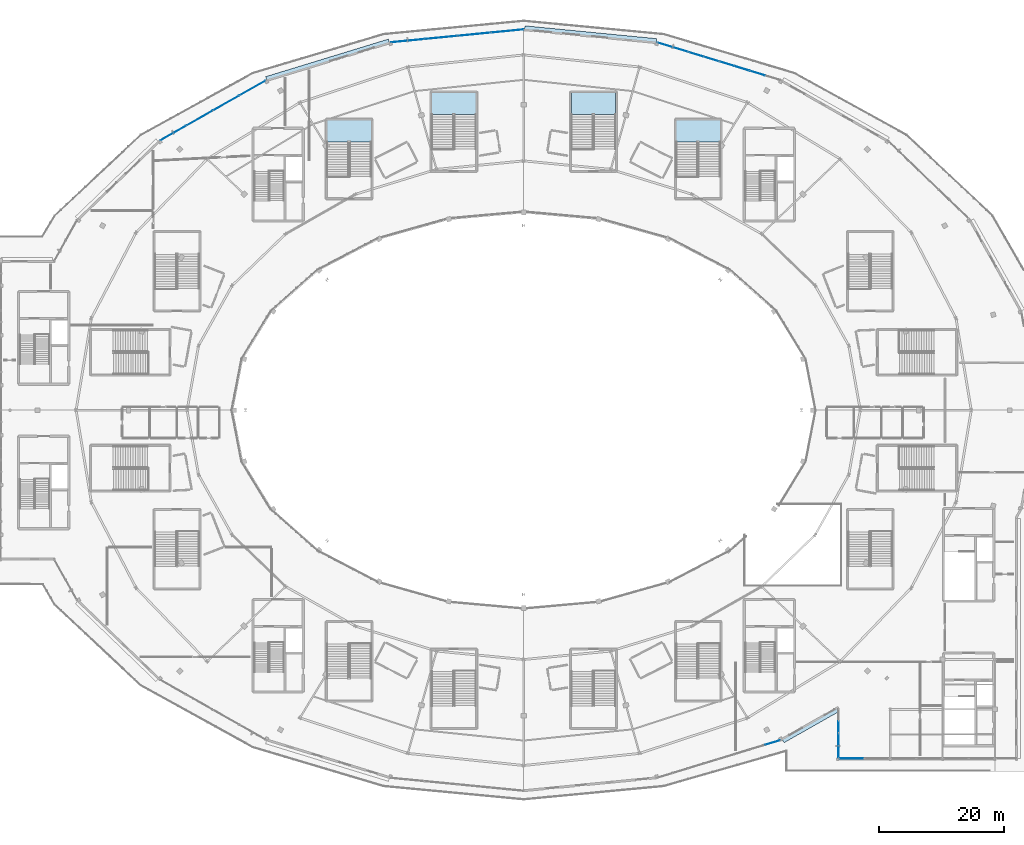
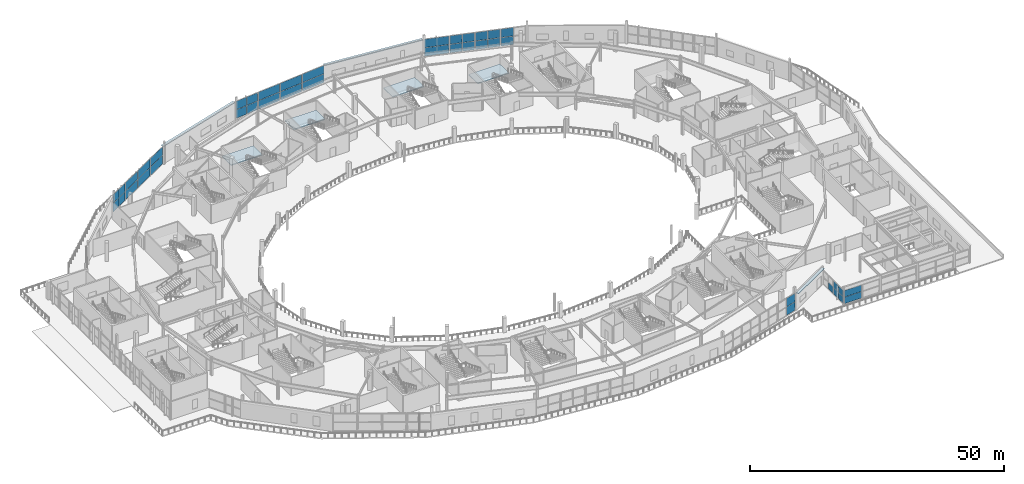
# One storey, part 76 of 123: 44 plates, 4 slabs, 20 elements without a shape of their own.
"""IFC4 building model written with IfcOpenShell, lengths in metres."""

from ifc_helpers import new_model, si_unit, direction, frame, origin, origin_2d, place, context, subcontext, project, spatial, polyline, rectangle, outline, extrude, material, layer, layer_set, type_object, element, aggregate, save


model = new_model("IFC4")

# Units and contexts
model_context = context("Model", 3, precision=1e-05, world=origin(), true_north=direction((0.0, 1.0)))
body_context = subcontext(model_context, "Body", "Model", "MODEL_VIEW")
ifc_project = project(units=[si_unit("LENGTHUNIT", "METRE"), si_unit("AREAUNIT", "SQUARE_METRE"), si_unit("VOLUMEUNIT", "CUBIC_METRE"), si_unit("PLANEANGLEUNIT", "RADIAN"), si_unit("MASSUNIT", "GRAM", prefix="KILO")], contexts=[model_context])

# Site, building, storey
site_placement = place(None, origin())
site = spatial("IfcSite", under=ifc_project, at=site_placement, CompositionType="ELEMENT")
building_placement = place(site_placement, origin())
building = spatial("IfcBuilding", under=site, at=building_placement, Name="Kalgoora Escarpment Arena", CompositionType="ELEMENT")
storey_placement = place(building_placement, frame((0.0, 0.0, 9.89990234375)))
storey = spatial("IfcBuildingStorey", under=building, at=storey_placement, Name="L02", CompositionType="ELEMENT", Elevation=9.89990234375)

# Curtain wall, plate
ifc_material_1 = material(Name=" Champagne anodised aluminium & double-glazed low-E", Category="aluminium")
ifc_layer_1 = layer(ifc_material_1, 0.162109375)
ifc_layer_set_1 = layer_set([ifc_layer_1], Name="CW-UNIT-03")
curtain_wall_type_1 = type_object("IfcCurtainWallType", Name="CW-UNIT-03", PredefinedType="NOTDEFINED", material=ifc_layer_set_1)
curtain_wall_1_placement = place(storey_placement, origin())
curtain_wall_1 = element("IfcCurtainWall", 1, at=curtain_wall_1_placement, inside=storey, type_object=curtain_wall_type_1, Name="L02 unitised facade curtain wall 042", PredefinedType="NOTDEFINED")
ifc_material_2 = material(Name="Low-E double-glazed insulated glass", Category="glass")
ifc_layer_2 = layer(ifc_material_2, 0.028076171875)
ifc_layer_set_2 = layer_set([ifc_layer_2], Name="PLT-CW-GLAZ-28")
plate_type_1 = type_object("IfcPlateType", Name="PLT-CW-GLAZ-28", PredefinedType="CURTAIN_PANEL", material=ifc_layer_set_2)
plate_1_placement = place(storey_placement, frame((142.919921875, 13.197509765625, 0.080078125), z_axis=(0.0, 0.0, 1.0), x_axis=(0.0, 1.0, 0.0)))
plate_1 = element("IfcPlate", 2, at=plate_1_placement, type_object=plate_type_1, Name="CW-03 panel 1.1", PredefinedType="CURTAIN_PANEL", context=body_context, shape_type="SweptSolid", body=[
    extrude(rectangle(XDim=1.8505859375, YDim=0.028076171875, at=origin_2d()), origin(), (0.0, 0.0, 1.0), 1.552490234375),
])
aggregate(curtain_wall_1, [plate_1])

# Curtain wall, plates
ifc_material_3 = material(Name=" Champagne anodised aluminium & double-glazed low-E", Category="aluminium")
ifc_layer_3 = layer(ifc_material_3, 0.162109375)
ifc_layer_set_3 = layer_set([ifc_layer_3], Name="CW-UNIT-13")
curtain_wall_type_2 = type_object("IfcCurtainWallType", Name="CW-UNIT-13", PredefinedType="NOTDEFINED", material=ifc_layer_set_3)
curtain_wall_2_placement = place(storey_placement, origin())
curtain_wall_2 = element("IfcCurtainWall", 3, at=curtain_wall_2_placement, inside=storey, type_object=curtain_wall_type_2, Name="L02 unitised facade curtain wall 072", PredefinedType="NOTDEFINED")
plate_2_placement = place(storey_placement, frame((40.439453125, 110.873291015625, 0.0751953125), z_axis=(0.0, 0.0, 1.0), x_axis=(0.869842024256, 0.493330368859, 0.0)))
plate_2 = element("IfcPlate", 4, at=plate_2_placement, type_object=plate_type_1, Name="CW-13 panel 1.1", PredefinedType="CURTAIN_PANEL", context=body_context, shape_type="SweptSolid", body=[
    extrude(rectangle(XDim=4.63525390625, YDim=0.028076171875, at=origin_2d()), origin(), (0.0, 0.0, 1.0), 2.030029296875),
])
plate_3_placement = place(storey_placement, frame((40.439453125, 110.873291015625, 2.16015625), z_axis=(0.0, 0.0, 1.0), x_axis=(0.869842024256, 0.493330368859, 0.0)))
plate_3 = element("IfcPlate", 5, at=plate_3_placement, type_object=plate_type_1, Name="CW-13 panel 1.2", PredefinedType="CURTAIN_PANEL", context=body_context, shape_type="SweptSolid", body=[
    extrude(rectangle(XDim=4.63525390625, YDim=0.028076171875, at=origin_2d()), origin(), (0.0, 0.0, 1.0), 2.010009765625),
])
aggregate(curtain_wall_2, [plate_2, plate_3])

ifc_material_4 = material(Name=" Champagne anodised aluminium & double-glazed low-E", Category="aluminium")
ifc_layer_4 = layer(ifc_material_4, 0.14990234375)
ifc_layer_set_4 = layer_set([ifc_layer_4], Name="CW-UNIT-15")
curtain_wall_type_3 = type_object("IfcCurtainWallType", Name="CW-UNIT-15", PredefinedType="NOTDEFINED", material=ifc_layer_set_4)
curtain_wall_3_placement = place(storey_placement, origin())
curtain_wall_3 = element("IfcCurtainWall", 6, at=curtain_wall_3_placement, inside=storey, type_object=curtain_wall_type_3, Name="L02 unitised facade curtain wall 074", PredefinedType="NOTDEFINED")
plate_4_placement = place(storey_placement, frame((48.90771484375, 115.67626953125, 0.0751953125), z_axis=(0.0, 0.0, 1.0), x_axis=(0.86983436933, 0.49334386581, 0.0)))
plate_4 = element("IfcPlate", 7, at=plate_4_placement, type_object=plate_type_1, Name="CW-15 panel 1.1", PredefinedType="CURTAIN_PANEL", context=body_context, shape_type="SweptSolid", body=[
    extrude(rectangle(XDim=4.68505859375, YDim=0.028076171875, at=origin_2d()), origin(), (0.0, 0.0, 1.0), 2.030029296875),
])
plate_5_placement = place(storey_placement, frame((48.90771484375, 115.67626953125, 2.16015625), z_axis=(0.0, 0.0, 1.0), x_axis=(0.86983436933, 0.49334386581, 0.0)))
plate_5 = element("IfcPlate", 8, at=plate_5_placement, type_object=plate_type_1, Name="CW-15 panel 1.2", PredefinedType="CURTAIN_PANEL", context=body_context, shape_type="SweptSolid", body=[
    extrude(rectangle(XDim=4.68505859375, YDim=0.028076171875, at=origin_2d()), origin(), (0.0, 0.0, 1.0), 2.010009765625),
])
aggregate(curtain_wall_3, [plate_4, plate_5])

ifc_material_5 = material(Name=" Champagne anodised aluminium & double-glazed low-E", Category="aluminium")
ifc_layer_5 = layer(ifc_material_5, 0.157958984375)
ifc_layer_set_5 = layer_set([ifc_layer_5], Name="CW-UNIT-17")
curtain_wall_type_4 = type_object("IfcCurtainWallType", Name="CW-UNIT-17", PredefinedType="NOTDEFINED", material=ifc_layer_set_5)
curtain_wall_4_placement = place(storey_placement, origin())
curtain_wall_4 = element("IfcCurtainWall", 9, at=curtain_wall_4_placement, inside=storey, type_object=curtain_wall_type_4, Name="L02 unitised facade curtain wall 076", PredefinedType="NOTDEFINED")
plate_6_placement = place(storey_placement, frame((79.115234375, 123.786865234375, 0.0751953125), z_axis=(0.0, 0.0, 1.0), x_axis=(0.995298024698, 0.096859909317, 0.0)))
plate_6 = element("IfcPlate", 10, at=plate_6_placement, type_object=plate_type_1, Name="CW-17 panel 1.1", PredefinedType="CURTAIN_PANEL", context=body_context, shape_type="SweptSolid", body=[
    extrude(rectangle(XDim=5.12353515625, YDim=0.028076171875, at=origin_2d()), origin(), (0.0, 0.0, 1.0), 2.030029296875),
])
plate_7_placement = place(storey_placement, frame((79.115234375, 123.786865234375, 2.16015625), z_axis=(0.0, 0.0, 1.0), x_axis=(0.995298024698, 0.096859909317, 0.0)))
plate_7 = element("IfcPlate", 11, at=plate_7_placement, type_object=plate_type_1, Name="CW-17 panel 1.2", PredefinedType="CURTAIN_PANEL", context=body_context, shape_type="SweptSolid", body=[
    extrude(rectangle(XDim=5.12353515625, YDim=0.028076171875, at=origin_2d()), origin(), (0.0, 0.0, 1.0), 2.010009765625),
])
aggregate(curtain_wall_4, [plate_6, plate_7])

ifc_material_6 = material(Name=" Champagne anodised aluminium & double-glazed low-E", Category="aluminium")
ifc_layer_6 = layer(ifc_material_6, 0.166015625)
ifc_layer_set_6 = layer_set([ifc_layer_6], Name="CW-UNIT-19")
curtain_wall_type_5 = type_object("IfcCurtainWallType", Name="CW-UNIT-19", PredefinedType="NOTDEFINED", material=ifc_layer_set_6)
curtain_wall_5_placement = place(storey_placement, origin())
curtain_wall_5 = element("IfcCurtainWall", 12, at=curtain_wall_5_placement, inside=storey, type_object=curtain_wall_type_5, Name="L02 unitised facade curtain wall 078", PredefinedType="NOTDEFINED")
plate_8_placement = place(storey_placement, frame((89.77734375, 124.82421875, 0.0751953125), z_axis=(0.0, 0.0, 1.0), x_axis=(0.995298692664, 0.096853045283, 0.0)))
plate_8 = element("IfcPlate", 13, at=plate_8_placement, type_object=plate_type_1, Name="CW-19 panel 1.1", PredefinedType="CURTAIN_PANEL", context=body_context, shape_type="SweptSolid", body=[
    extrude(rectangle(XDim=5.173583984375, YDim=0.028076171875, at=origin_2d()), origin(), (0.0, 0.0, 1.0), 2.030029296875),
])
plate_9_placement = place(storey_placement, frame((89.77734375, 124.82421875, 2.16015625), z_axis=(0.0, 0.0, 1.0), x_axis=(0.995298692664, 0.096853045283, 0.0)))
plate_9 = element("IfcPlate", 14, at=plate_9_placement, type_object=plate_type_1, Name="CW-19 panel 1.2", PredefinedType="CURTAIN_PANEL", context=body_context, shape_type="SweptSolid", body=[
    extrude(rectangle(XDim=5.173583984375, YDim=0.028076171875, at=origin_2d()), origin(), (0.0, 0.0, 1.0), 2.010009765625),
])
aggregate(curtain_wall_5, [plate_8, plate_9])

ifc_material_7 = material(Name=" Champagne anodised aluminium & double-glazed low-E", Category="aluminium")
ifc_layer_7 = layer(ifc_material_7, 0.154052734375)
ifc_layer_set_7 = layer_set([ifc_layer_7], Name="CW-UNIT-01")
curtain_wall_type_6 = type_object("IfcCurtainWallType", Name="CW-UNIT-01", PredefinedType="NOTDEFINED", material=ifc_layer_set_7)
curtain_wall_6_placement = place(storey_placement, origin())
curtain_wall_6 = element("IfcCurtainWall", 15, at=curtain_wall_6_placement, inside=storey, type_object=curtain_wall_type_6, Name="L02 unitised facade curtain wall 080", PredefinedType="NOTDEFINED")
plate_10_placement = place(storey_placement, frame((120.075439453125, 121.0771484375, 0.080078125), z_axis=(0.0, 0.0, 1.0), x_axis=(0.956194187039, -0.292733115095, 0.0)))
plate_10 = element("IfcPlate", 16, at=plate_10_placement, type_object=plate_type_1, Name="CW-01 panel 1.1", PredefinedType="CURTAIN_PANEL", context=body_context, shape_type="SweptSolid", body=[
    extrude(rectangle(XDim=2.427734375, YDim=0.028076171875, at=origin_2d()), origin(), (0.0, 0.0, 1.0), 2.0224609375),
])
plate_11_placement = place(storey_placement, frame((120.075439453125, 121.0771484375, 2.16259765625), z_axis=(0.0, 0.0, 1.0), x_axis=(0.956194187039, -0.292733115095, 0.0)))
plate_11 = element("IfcPlate", 17, at=plate_11_placement, type_object=plate_type_1, Name="CW-01 panel 1.2", PredefinedType="CURTAIN_PANEL", context=body_context, shape_type="SweptSolid", body=[
    extrude(rectangle(XDim=2.427734375, YDim=0.028076171875, at=origin_2d()), origin(), (0.0, 0.0, 1.0), 2.00244140625),
])
plate_12_placement = place(storey_placement, frame((122.458984375, 120.347412109375, 0.080078125), z_axis=(0.0, 0.0, 1.0), x_axis=(0.956194187039, -0.292733115095, 0.0)))
plate_12 = element("IfcPlate", 18, at=plate_12_placement, type_object=plate_type_1, Name="CW-01 panel 2.1", PredefinedType="CURTAIN_PANEL", context=body_context, shape_type="SweptSolid", body=[
    extrude(rectangle(XDim=2.427734375, YDim=0.028076171875, at=origin_2d()), origin(), (0.0, 0.0, 1.0), 2.0224609375),
])
plate_13_placement = place(storey_placement, frame((122.458984375, 120.347412109375, 2.16259765625), z_axis=(0.0, 0.0, 1.0), x_axis=(0.956194187039, -0.292733115095, 0.0)))
plate_13 = element("IfcPlate", 19, at=plate_13_placement, type_object=plate_type_1, Name="CW-01 panel 2.2", PredefinedType="CURTAIN_PANEL", context=body_context, shape_type="SweptSolid", body=[
    extrude(rectangle(XDim=2.427734375, YDim=0.028076171875, at=origin_2d()), origin(), (0.0, 0.0, 1.0), 2.00244140625),
])
aggregate(curtain_wall_6, [plate_10, plate_11, plate_12, plate_13])

curtain_wall_7_placement = place(storey_placement, origin())
curtain_wall_7 = element("IfcCurtainWall", 20, at=curtain_wall_7_placement, inside=storey, type_object=curtain_wall_type_1, Name="L02 unitised facade curtain wall 082", PredefinedType="NOTDEFINED")
plate_14_placement = place(storey_placement, frame((129.936767578125, 118.05810546875, 0.080078125), z_axis=(0.0, 0.0, 1.0), x_axis=(0.956190547467, -0.29274500326, 0.0)))
plate_14 = element("IfcPlate", 21, at=plate_14_placement, type_object=plate_type_1, Name="CW-03 panel 1.1", PredefinedType="CURTAIN_PANEL", context=body_context, shape_type="SweptSolid", body=[
    extrude(rectangle(XDim=2.45263671875, YDim=0.028076171875, at=origin_2d()), origin(), (0.0, 0.0, 1.0), 2.0224609375),
])
plate_15_placement = place(storey_placement, frame((129.936767578125, 118.05810546875, 2.16259765625), z_axis=(0.0, 0.0, 1.0), x_axis=(0.956190547467, -0.29274500326, 0.0)))
plate_15 = element("IfcPlate", 22, at=plate_15_placement, type_object=plate_type_1, Name="CW-03 panel 1.2", PredefinedType="CURTAIN_PANEL", context=body_context, shape_type="SweptSolid", body=[
    extrude(rectangle(XDim=2.45263671875, YDim=0.028076171875, at=origin_2d()), origin(), (0.0, 0.0, 1.0), 2.00244140625),
])
aggregate(curtain_wall_7, [plate_14, plate_15])

ifc_material_8 = material(Name=" Champagne anodised aluminium & double-glazed low-E", Category="aluminium")
ifc_layer_8 = layer(ifc_material_8, 0.157958984375)
ifc_layer_set_8 = layer_set([ifc_layer_8], Name="CW-UNIT-02")
curtain_wall_type_7 = type_object("IfcCurtainWallType", Name="CW-UNIT-02", PredefinedType="NOTDEFINED", material=ifc_layer_set_8)
curtain_wall_8_placement = place(storey_placement, origin())
curtain_wall_8 = element("IfcCurtainWall", 23, at=curtain_wall_8_placement, inside=storey, type_object=curtain_wall_type_7, Name="L02 unitised facade curtain wall 041", PredefinedType="NOTDEFINED")
ifc_material_9 = material(Name="Acoustic laminated solar-control glass", Category="glass")
ifc_layer_9 = layer(ifc_material_9, 0.033935546875)
ifc_layer_set_9 = layer_set([ifc_layer_9], Name="PLT-CW-GLAZ-34")
plate_type_2 = type_object("IfcPlateType", Name="PLT-CW-GLAZ-34", PredefinedType="CURTAIN_PANEL", material=ifc_layer_set_9)
plate_16_placement = place(storey_placement, frame((142.919921875, 9.201171875, 0.080078125), z_axis=(0.0, 0.0, 1.0), x_axis=(0.0, 1.0, 0.0)))
plate_16 = element("IfcPlate", 24, at=plate_16_placement, type_object=plate_type_2, Name="CW-02 panel 1.1", PredefinedType="CURTAIN_PANEL", context=body_context, shape_type="SweptSolid", body=[
    extrude(rectangle(XDim=1.8505859375, YDim=0.033935546875, at=origin_2d()), origin(), (0.0, 0.0, 1.0), 1.552490234375),
])
plate_17_placement = place(storey_placement, frame((142.919921875, 9.201171875, 1.6923828125), z_axis=(0.0, 0.0, 1.0), x_axis=(0.0, 1.0, 0.0)))
plate_17 = element("IfcPlate", 25, at=plate_17_placement, type_object=plate_type_2, Name="CW-02 panel 1.2", PredefinedType="CURTAIN_PANEL", context=body_context, shape_type="SweptSolid", body=[
    extrude(rectangle(XDim=1.8505859375, YDim=0.033935546875, at=origin_2d()), origin(), (0.0, 0.0, 1.0), 1.532470703125),
])
plate_18_placement = place(storey_placement, frame((142.919921875, 11.116943359375, 0.080078125), z_axis=(0.0, 0.0, 1.0), x_axis=(0.0, 1.0, 0.0)))
plate_18 = element("IfcPlate", 26, at=plate_18_placement, type_object=plate_type_2, Name="CW-02 panel 2.1", PredefinedType="CURTAIN_PANEL", context=body_context, shape_type="SweptSolid", body=[
    extrude(rectangle(XDim=1.8505859375, YDim=0.033935546875, at=origin_2d()), origin(), (0.0, 0.0, 1.0), 1.552490234375),
])
plate_19_placement = place(storey_placement, frame((142.919921875, 11.116943359375, 1.6923828125), z_axis=(0.0, 0.0, 1.0), x_axis=(0.0, 1.0, 0.0)))
plate_19 = element("IfcPlate", 27, at=plate_19_placement, type_object=plate_type_2, Name="CW-02 panel 2.2", PredefinedType="CURTAIN_PANEL", context=body_context, shape_type="SweptSolid", body=[
    extrude(rectangle(XDim=1.8505859375, YDim=0.033935546875, at=origin_2d()), origin(), (0.0, 0.0, 1.0), 1.532470703125),
])
aggregate(curtain_wall_8, [plate_16, plate_17, plate_18, plate_19])

ifc_material_10 = material(Name=" Champagne anodised aluminium & double-glazed low-E", Category="aluminium")
ifc_layer_10 = layer(ifc_material_10, 0.166015625)
ifc_layer_set_10 = layer_set([ifc_layer_10], Name="CW-UNIT-04")
curtain_wall_type_8 = type_object("IfcCurtainWallType", Name="CW-UNIT-04", PredefinedType="NOTDEFINED", material=ifc_layer_set_10)
curtain_wall_9_placement = place(storey_placement, origin())
curtain_wall_9 = element("IfcCurtainWall", 28, at=curtain_wall_9_placement, inside=storey, type_object=curtain_wall_type_8, Name="L02 unitised facade curtain wall 043", PredefinedType="NOTDEFINED")
plate_20_placement = place(storey_placement, frame((132.34423828125, 10.678955078125, 0.080078125), z_axis=(0.0, 0.0, 1.0), x_axis=(-0.956190547467, -0.29274500326, 0.0)))
plate_20 = element("IfcPlate", 29, at=plate_20_placement, type_object=plate_type_2, Name="CW-04 panel 1.1", PredefinedType="CURTAIN_PANEL", context=body_context, shape_type="SweptSolid", body=[
    extrude(rectangle(XDim=2.45263671875, YDim=0.033935546875, at=origin_2d()), origin(), (0.0, 0.0, 1.0), 2.0224609375),
])
plate_21_placement = place(storey_placement, frame((132.34423828125, 10.678955078125, 2.16259765625), z_axis=(0.0, 0.0, 1.0), x_axis=(-0.956190547467, -0.29274500326, 0.0)))
plate_21 = element("IfcPlate", 30, at=plate_21_placement, type_object=plate_type_2, Name="CW-04 panel 1.2", PredefinedType="CURTAIN_PANEL", context=body_context, shape_type="SweptSolid", body=[
    extrude(rectangle(XDim=2.45263671875, YDim=0.033935546875, at=origin_2d()), origin(), (0.0, 0.0, 1.0), 2.00244140625),
])
aggregate(curtain_wall_9, [plate_20, plate_21])

ifc_material_11 = material(Name=" Champagne anodised aluminium & double-glazed low-E", Category="aluminium")
ifc_layer_11 = layer(ifc_material_11, 0.157958984375)
ifc_layer_set_11 = layer_set([ifc_layer_11], Name="CW-UNIT-12")
curtain_wall_type_9 = type_object("IfcCurtainWallType", Name="CW-UNIT-12", PredefinedType="NOTDEFINED", material=ifc_layer_set_11)
curtain_wall_10_placement = place(storey_placement, origin())
curtain_wall_10 = element("IfcCurtainWall", 31, at=curtain_wall_10_placement, inside=storey, type_object=curtain_wall_type_9, Name="L02 unitised facade curtain wall 071", PredefinedType="NOTDEFINED")
plate_22_placement = place(storey_placement, frame((35.16259765625, 107.880615234375, 0.0751953125), z_axis=(0.0, 0.0, 1.0), x_axis=(0.86983436933, 0.49334386581, 0.0)))
plate_22 = element("IfcPlate", 32, at=plate_22_placement, type_object=plate_type_2, Name="CW-12 panel 1.1", PredefinedType="CURTAIN_PANEL", context=body_context, shape_type="SweptSolid", body=[
    extrude(rectangle(XDim=2.3125, YDim=0.033935546875, at=origin_2d()), origin(), (0.0, 0.0, 1.0), 2.030029296875),
])
plate_23_placement = place(storey_placement, frame((35.16259765625, 107.880615234375, 2.16015625), z_axis=(0.0, 0.0, 1.0), x_axis=(0.86983436933, 0.49334386581, 0.0)))
plate_23 = element("IfcPlate", 33, at=plate_23_placement, type_object=plate_type_2, Name="CW-12 panel 1.2", PredefinedType="CURTAIN_PANEL", context=body_context, shape_type="SweptSolid", body=[
    extrude(rectangle(XDim=2.3125, YDim=0.033935546875, at=origin_2d()), origin(), (0.0, 0.0, 1.0), 2.010009765625),
])
plate_24_placement = place(storey_placement, frame((37.226318359375, 109.051025390625, 0.0751953125), z_axis=(0.0, 0.0, 1.0), x_axis=(0.86983436933, 0.49334386581, 0.0)))
plate_24 = element("IfcPlate", 34, at=plate_24_placement, type_object=plate_type_2, Name="CW-12 panel 2.1", PredefinedType="CURTAIN_PANEL", context=body_context, shape_type="SweptSolid", body=[
    extrude(rectangle(XDim=2.3125, YDim=0.033935546875, at=origin_2d()), origin(), (0.0, 0.0, 1.0), 2.030029296875),
])
plate_25_placement = place(storey_placement, frame((37.226318359375, 109.051025390625, 2.16015625), z_axis=(0.0, 0.0, 1.0), x_axis=(0.86983436933, 0.49334386581, 0.0)))
plate_25 = element("IfcPlate", 35, at=plate_25_placement, type_object=plate_type_2, Name="CW-12 panel 2.2", PredefinedType="CURTAIN_PANEL", context=body_context, shape_type="SweptSolid", body=[
    extrude(rectangle(XDim=2.3125, YDim=0.033935546875, at=origin_2d()), origin(), (0.0, 0.0, 1.0), 2.010009765625),
])
aggregate(curtain_wall_10, [plate_22, plate_23, plate_24, plate_25])

ifc_material_12 = material(Name=" Champagne anodised aluminium & double-glazed low-E", Category="aluminium")
ifc_layer_12 = layer(ifc_material_12, 0.166015625)
ifc_layer_set_12 = layer_set([ifc_layer_12], Name="CW-UNIT-14")
curtain_wall_type_10 = type_object("IfcCurtainWallType", Name="CW-UNIT-14", PredefinedType="NOTDEFINED", material=ifc_layer_set_12)
curtain_wall_11_placement = place(storey_placement, origin())
curtain_wall_11 = element("IfcCurtainWall", 36, at=curtain_wall_11_placement, inside=storey, type_object=curtain_wall_type_10, Name="L02 unitised facade curtain wall 073", PredefinedType="NOTDEFINED")
plate_26_placement = place(storey_placement, frame((44.662841796875, 113.2685546875, 0.0751953125), z_axis=(0.0, 0.0, 1.0), x_axis=(0.869833000046, 0.493346280042, 0.0)))
plate_26 = element("IfcPlate", 37, at=plate_26_placement, type_object=plate_type_2, Name="CW-14 panel 1.1", PredefinedType="CURTAIN_PANEL", context=body_context, shape_type="SweptSolid", body=[
    extrude(rectangle(XDim=4.63525390625, YDim=0.033935546875, at=origin_2d()), origin(), (0.0, 0.0, 1.0), 2.030029296875),
])
plate_27_placement = place(storey_placement, frame((44.662841796875, 113.2685546875, 2.16015625), z_axis=(0.0, 0.0, 1.0), x_axis=(0.869833000046, 0.493346280042, 0.0)))
plate_27 = element("IfcPlate", 38, at=plate_27_placement, type_object=plate_type_2, Name="CW-14 panel 1.2", PredefinedType="CURTAIN_PANEL", context=body_context, shape_type="SweptSolid", body=[
    extrude(rectangle(XDim=4.63525390625, YDim=0.033935546875, at=origin_2d()), origin(), (0.0, 0.0, 1.0), 2.010009765625),
])
aggregate(curtain_wall_11, [plate_26, plate_27])

ifc_material_13 = material(Name=" Champagne anodised aluminium & double-glazed low-E", Category="aluminium")
ifc_layer_13 = layer(ifc_material_13, 0.154052734375)
ifc_layer_set_13 = layer_set([ifc_layer_13], Name="CW-UNIT-16")
curtain_wall_type_11 = type_object("IfcCurtainWallType", Name="CW-UNIT-16", PredefinedType="NOTDEFINED", material=ifc_layer_set_13)
curtain_wall_12_placement = place(storey_placement, origin())
curtain_wall_12 = element("IfcCurtainWall", 39, at=curtain_wall_12_placement, inside=storey, type_object=curtain_wall_type_11, Name="L02 unitised facade curtain wall 075", PredefinedType="NOTDEFINED")
plate_28_placement = place(storey_placement, frame((72.469482421875, 123.14013671875, 0.0751953125), z_axis=(0.0, 0.0, 1.0), x_axis=(0.995298692664, 0.096853045283, 0.0)))
plate_28 = element("IfcPlate", 40, at=plate_28_placement, type_object=plate_type_2, Name="CW-16 panel 1.1", PredefinedType="CURTAIN_PANEL", context=body_context, shape_type="SweptSolid", body=[
    extrude(rectangle(XDim=2.556884765625, YDim=0.033935546875, at=origin_2d()), origin(), (0.0, 0.0, 1.0), 2.030029296875),
])
plate_29_placement = place(storey_placement, frame((72.469482421875, 123.14013671875, 2.16015625), z_axis=(0.0, 0.0, 1.0), x_axis=(0.995298692664, 0.096853045283, 0.0)))
plate_29 = element("IfcPlate", 41, at=plate_29_placement, type_object=plate_type_2, Name="CW-16 panel 1.2", PredefinedType="CURTAIN_PANEL", context=body_context, shape_type="SweptSolid", body=[
    extrude(rectangle(XDim=2.556884765625, YDim=0.033935546875, at=origin_2d()), origin(), (0.0, 0.0, 1.0), 2.010009765625),
])
plate_30_placement = place(storey_placement, frame((75.073974609375, 123.3935546875, 0.0751953125), z_axis=(0.0, 0.0, 1.0), x_axis=(0.995298692664, 0.096853045283, 0.0)))
plate_30 = element("IfcPlate", 42, at=plate_30_placement, type_object=plate_type_2, Name="CW-16 panel 2.1", PredefinedType="CURTAIN_PANEL", context=body_context, shape_type="SweptSolid", body=[
    extrude(rectangle(XDim=2.556884765625, YDim=0.033935546875, at=origin_2d()), origin(), (0.0, 0.0, 1.0), 2.030029296875),
])
plate_31_placement = place(storey_placement, frame((75.073974609375, 123.3935546875, 2.16015625), z_axis=(0.0, 0.0, 1.0), x_axis=(0.995298692664, 0.096853045283, 0.0)))
plate_31 = element("IfcPlate", 43, at=plate_31_placement, type_object=plate_type_2, Name="CW-16 panel 2.2", PredefinedType="CURTAIN_PANEL", context=body_context, shape_type="SweptSolid", body=[
    extrude(rectangle(XDim=2.556884765625, YDim=0.033935546875, at=origin_2d()), origin(), (0.0, 0.0, 1.0), 2.010009765625),
])
aggregate(curtain_wall_12, [plate_28, plate_29, plate_30, plate_31])

ifc_material_14 = material(Name=" Champagne anodised aluminium & double-glazed low-E", Category="aluminium")
ifc_layer_14 = layer(ifc_material_14, 0.162109375)
ifc_layer_set_14 = layer_set([ifc_layer_14], Name="CW-UNIT-18")
curtain_wall_type_12 = type_object("IfcCurtainWallType", Name="CW-UNIT-18", PredefinedType="NOTDEFINED", material=ifc_layer_set_14)
curtain_wall_13_placement = place(storey_placement, origin())
curtain_wall_13 = element("IfcCurtainWall", 44, at=curtain_wall_13_placement, inside=storey, type_object=curtain_wall_type_12, Name="L02 unitised facade curtain wall 077", PredefinedType="NOTDEFINED")
plate_32_placement = place(storey_placement, frame((84.433837890625, 124.30419921875, 0.0751953125), z_axis=(0.0, 0.0, 1.0), x_axis=(0.995298024698, 0.096859909317, 0.0)))
plate_32 = element("IfcPlate", 45, at=plate_32_placement, type_object=plate_type_2, Name="CW-18 panel 1.1", PredefinedType="CURTAIN_PANEL", context=body_context, shape_type="SweptSolid", body=[
    extrude(rectangle(XDim=5.12353515625, YDim=0.033935546875, at=origin_2d()), origin(), (0.0, 0.0, 1.0), 2.030029296875),
])
plate_33_placement = place(storey_placement, frame((84.433837890625, 124.30419921875, 2.16015625), z_axis=(0.0, 0.0, 1.0), x_axis=(0.995298024698, 0.096859909317, 0.0)))
plate_33 = element("IfcPlate", 46, at=plate_33_placement, type_object=plate_type_2, Name="CW-18 panel 1.2", PredefinedType="CURTAIN_PANEL", context=body_context, shape_type="SweptSolid", body=[
    extrude(rectangle(XDim=5.12353515625, YDim=0.033935546875, at=origin_2d()), origin(), (0.0, 0.0, 1.0), 2.010009765625),
])
aggregate(curtain_wall_13, [plate_32, plate_33])

ifc_material_15 = material(Name=" Champagne anodised aluminium & double-glazed low-E", Category="aluminium")
ifc_layer_15 = layer(ifc_material_15, 0.14990234375)
ifc_layer_set_15 = layer_set([ifc_layer_15], Name="CW-UNIT-20")
curtain_wall_type_13 = type_object("IfcCurtainWallType", Name="CW-UNIT-20", PredefinedType="NOTDEFINED", material=ifc_layer_set_15)
curtain_wall_14_placement = place(storey_placement, origin())
curtain_wall_14 = element("IfcCurtainWall", 47, at=curtain_wall_14_placement, inside=storey, type_object=curtain_wall_type_13, Name="L02 unitised facade curtain wall 079", PredefinedType="NOTDEFINED")
plate_34_placement = place(storey_placement, frame((116.318603515625, 122.227294921875, 0.0751953125), z_axis=(0.0, 0.0, 1.0), x_axis=(0.956190547467, -0.29274500326, 0.0)))
plate_34 = element("IfcPlate", 48, at=plate_34_placement, type_object=plate_type_2, Name="CW-20 panel 1.1", PredefinedType="CURTAIN_PANEL", context=body_context, shape_type="SweptSolid", body=[
    extrude(rectangle(XDim=4.980224609375, YDim=0.033935546875, at=origin_2d()), origin(), (0.0, 0.0, 1.0), 2.030029296875),
])
plate_35_placement = place(storey_placement, frame((116.318603515625, 122.227294921875, 2.16015625), z_axis=(0.0, 0.0, 1.0), x_axis=(0.956190547467, -0.29274500326, 0.0)))
plate_35 = element("IfcPlate", 49, at=plate_35_placement, type_object=plate_type_2, Name="CW-20 panel 1.2", PredefinedType="CURTAIN_PANEL", context=body_context, shape_type="SweptSolid", body=[
    extrude(rectangle(XDim=4.980224609375, YDim=0.033935546875, at=origin_2d()), origin(), (0.0, 0.0, 1.0), 2.010009765625),
])
aggregate(curtain_wall_14, [plate_34, plate_35])

curtain_wall_15_placement = place(storey_placement, origin())
curtain_wall_15 = element("IfcCurtainWall", 50, at=curtain_wall_15_placement, inside=storey, type_object=curtain_wall_type_7, Name="L02 unitised facade curtain wall 081", PredefinedType="NOTDEFINED")
plate_36_placement = place(storey_placement, frame((125.000244140625, 119.5693359375, 0.080078125), z_axis=(0.0, 0.0, 1.0), x_axis=(0.9561886445, -0.292751218834, 0.0)))
plate_36 = element("IfcPlate", 51, at=plate_36_placement, type_object=plate_type_2, Name="CW-02 panel 1.1", PredefinedType="CURTAIN_PANEL", context=body_context, shape_type="SweptSolid", body=[
    extrude(rectangle(XDim=2.427734375, YDim=0.033935546875, at=origin_2d()), origin(), (0.0, 0.0, 1.0), 2.0224609375),
])
plate_37_placement = place(storey_placement, frame((125.000244140625, 119.5693359375, 2.16259765625), z_axis=(0.0, 0.0, 1.0), x_axis=(0.9561886445, -0.292751218834, 0.0)))
plate_37 = element("IfcPlate", 52, at=plate_37_placement, type_object=plate_type_2, Name="CW-02 panel 1.2", PredefinedType="CURTAIN_PANEL", context=body_context, shape_type="SweptSolid", body=[
    extrude(rectangle(XDim=2.427734375, YDim=0.033935546875, at=origin_2d()), origin(), (0.0, 0.0, 1.0), 2.00244140625),
])
plate_38_placement = place(storey_placement, frame((127.3837890625, 118.839599609375, 0.080078125), z_axis=(0.0, 0.0, 1.0), x_axis=(0.9561886445, -0.292751218834, 0.0)))
plate_38 = element("IfcPlate", 53, at=plate_38_placement, type_object=plate_type_2, Name="CW-02 panel 2.1", PredefinedType="CURTAIN_PANEL", context=body_context, shape_type="SweptSolid", body=[
    extrude(rectangle(XDim=2.427734375, YDim=0.033935546875, at=origin_2d()), origin(), (0.0, 0.0, 1.0), 2.0224609375),
])
plate_39_placement = place(storey_placement, frame((127.3837890625, 118.839599609375, 2.16259765625), z_axis=(0.0, 0.0, 1.0), x_axis=(0.9561886445, -0.292751218834, 0.0)))
plate_39 = element("IfcPlate", 54, at=plate_39_placement, type_object=plate_type_2, Name="CW-02 panel 2.2", PredefinedType="CURTAIN_PANEL", context=body_context, shape_type="SweptSolid", body=[
    extrude(rectangle(XDim=2.427734375, YDim=0.033935546875, at=origin_2d()), origin(), (0.0, 0.0, 1.0), 2.00244140625),
])
aggregate(curtain_wall_15, [plate_36, plate_37, plate_38, plate_39])

curtain_wall_16_placement = place(storey_placement, origin())
curtain_wall_16 = element("IfcCurtainWall", 55, at=curtain_wall_16_placement, inside=storey, type_object=curtain_wall_type_12, Name="L02 unitised facade curtain wall 097", PredefinedType="NOTDEFINED")
plate_40_placement = place(storey_placement, frame((144.988525390625, 8.1201171875, 0.074951171875), z_axis=(0.0, 0.0, 1.0), x_axis=(-1.0, 0.0, 0.0)))
plate_40 = element("IfcPlate", 56, at=plate_40_placement, type_object=plate_type_2, Name="CW-18 panel 1.1", PredefinedType="CURTAIN_PANEL", context=body_context, shape_type="SweptSolid", body=[
    extrude(rectangle(XDim=3.83544921875, YDim=0.033935546875, at=origin_2d()), origin(), (0.0, 0.0, 1.0), 1.56005859375),
])
plate_41_placement = place(storey_placement, frame((144.988525390625, 8.1201171875, 1.690185546875), z_axis=(0.0, 0.0, 1.0), x_axis=(-1.0, 0.0, 0.0)))
plate_41 = element("IfcPlate", 57, at=plate_41_placement, type_object=plate_type_2, Name="CW-18 panel 1.2", PredefinedType="CURTAIN_PANEL", context=body_context, shape_type="SweptSolid", body=[
    extrude(rectangle(XDim=3.83544921875, YDim=0.033935546875, at=origin_2d()), origin(), (0.0, 0.0, 1.0), 1.5400390625),
])
aggregate(curtain_wall_16, [plate_40, plate_41])

# Plates
ifc_material_16 = material(Name="Champagne anodised Art Deco solar brise-soleil hood", Category="aluminium")
ifc_layer_16 = layer(ifc_material_16, 0.1201171875)
ifc_layer_set_16 = layer_set([ifc_layer_16], Name="PLT-DECO-EYEBROW")
plate_type_3 = type_object("IfcPlateType", Name="PLT-DECO-EYEBROW", PredefinedType="SHEET", material=ifc_layer_set_16)
plate_42_placement = place(storey_placement, frame((138.3603515625, 13.44482421875, 3.97998046875), z_axis=(0.0, 0.0, 1.0), x_axis=(-0.869839554062, -0.493334724289, 0.0)))
element("IfcPlate", 58, at=plate_42_placement, inside=storey, type_object=plate_type_3, Name="L02 Art Deco horizontal solar brise-soleil eyebrow 040", PredefinedType="SHEET", context=body_context, shape_type="SweptSolid", body=[
    extrude(rectangle(XDim=10.047119140625, YDim=0.719970703125, at=origin_2d()), origin(), (0.0, 0.0, 1.0), 0.1201171875),
])
plate_43_placement = place(storey_placement, frame((60.948974609375, 120.1748046875, 3.985107421875), z_axis=(0.0, 0.0, 1.0), x_axis=(0.956202640726, 0.292705500237, 0.0)))
element("IfcPlate", 59, at=plate_43_placement, inside=storey, type_object=plate_type_3, Name="L02 Art Deco horizontal solar brise-soleil eyebrow 047", PredefinedType="SHEET", context=body_context, shape_type="SweptSolid", body=[
    extrude(rectangle(XDim=20.5849609375, YDim=0.719970703125, at=origin_2d()), origin(), (0.0, 0.0, 1.0), 0.1201171875),
])
plate_44_placement = place(storey_placement, frame((103.126953125, 124.279296875, 3.985107421875), z_axis=(0.0, 0.0, 1.0), x_axis=(0.995295283161, -0.096888076238, 0.0)))
element("IfcPlate", 60, at=plate_44_placement, inside=storey, type_object=plate_type_3, Name="L02 Art Deco horizontal solar brise-soleil eyebrow 048", PredefinedType="SHEET", context=body_context, shape_type="SweptSolid", body=[
    extrude(rectangle(XDim=21.23095703125, YDim=0.719970703125, at=origin_2d()), origin(), (0.0, 0.0, 1.0), 0.1201171875),
])

# Stair, slab
ifc_material_17 = material(Name="Precast concrete N50 (fc' 50 MPa)", Category="concrete")
stair_type_1 = type_object("IfcStairType", Name="STR-STAD-1", PredefinedType="HALF_TURN_STAIR", material=ifc_material_17)
stair_1_placement = place(storey_placement, origin())
stair_1 = element("IfcStair", 61, at=stair_1_placement, inside=storey, type_object=stair_type_1, Name="Fire-isolated exit stair ST09 (L02)", PredefinedType="HALF_TURN_STAIR")
ifc_material_18 = material(Name="Concrete N40 (fc' 40 MPa)", Category="concrete")
ifc_layer_17 = layer(ifc_material_18, 0.219970703125)
ifc_layer_set_17 = layer_set([ifc_layer_17], Name="SLB-ST-LAND-220")
slab_type = type_object("IfcSlabType", Name="SLB-ST-LAND-220", PredefinedType="LANDING", material=ifc_layer_set_17)
slab_1_placement = place(storey_placement, frame((0.0, 0.0, 2.030029296875)))
slab_1 = element("IfcSlab", 62, at=slab_1_placement, type_object=slab_type, Name="ST09 L02 half-landing", PredefinedType="LANDING", context=body_context, shape_type="SweptSolid", body=[
    extrude(outline(polyline([(60.85009765625, 107.0), (60.85009765625, 110.550048828125), (67.949951171875, 110.550048828125), (67.949951171875, 107.0), (60.85009765625, 107.0)])), origin(), (0.0, 0.0, 1.0), 0.219970703125),
])
aggregate(stair_1, [slab_1])

ifc_material_19 = material(Name="Precast concrete N50 (fc' 50 MPa)", Category="concrete")
stair_type_2 = type_object("IfcStairType", Name="STR-STAD-2", PredefinedType="HALF_TURN_STAIR", material=ifc_material_19)
stair_2_placement = place(storey_placement, origin())
stair_2 = element("IfcStair", 63, at=stair_2_placement, inside=storey, type_object=stair_type_2, Name="Fire-isolated exit stair ST10 (L02)", PredefinedType="HALF_TURN_STAIR")
slab_2_placement = place(storey_placement, frame((0.0, 0.0, 2.030029296875)))
slab_2 = element("IfcSlab", 64, at=slab_2_placement, type_object=slab_type, Name="ST10 L02 half-landing", PredefinedType="LANDING", context=body_context, shape_type="SweptSolid", body=[
    extrude(outline(polyline([(77.64990234375, 111.39990234375), (77.64990234375, 114.949951171875), (84.75, 114.949951171875), (84.75, 111.39990234375), (77.64990234375, 111.39990234375)])), origin(), (0.0, 0.0, 1.0), 0.219970703125),
])
aggregate(stair_2, [slab_2])

ifc_material_20 = material(Name="Precast concrete N50 (fc' 50 MPa)", Category="concrete")
stair_type_3 = type_object("IfcStairType", Name="STR-STAD-3", PredefinedType="HALF_TURN_STAIR", material=ifc_material_20)
stair_3_placement = place(storey_placement, origin())
stair_3 = element("IfcStair", 65, at=stair_3_placement, inside=storey, type_object=stair_type_3, Name="Fire-isolated exit stair ST11 (L02)", PredefinedType="HALF_TURN_STAIR")
slab_3_placement = place(storey_placement, frame((0.0, 0.0, 2.030029296875)))
slab_3 = element("IfcSlab", 66, at=slab_3_placement, type_object=slab_type, Name="ST11 L02 half-landing", PredefinedType="LANDING", context=body_context, shape_type="SweptSolid", body=[
    extrude(outline(polyline([(100.050048828125, 111.39990234375), (100.050048828125, 114.949951171875), (107.14990234375, 114.949951171875), (107.14990234375, 111.39990234375), (100.050048828125, 111.39990234375)])), origin(), (0.0, 0.0, 1.0), 0.219970703125),
])
aggregate(stair_3, [slab_3])

ifc_material_21 = material(Name="Precast concrete N50 (fc' 50 MPa)", Category="concrete")
stair_type_4 = type_object("IfcStairType", Name="STR-STAD-4", PredefinedType="HALF_TURN_STAIR", material=ifc_material_21)
stair_4_placement = place(storey_placement, origin())
stair_4 = element("IfcStair", 67, at=stair_4_placement, inside=storey, type_object=stair_type_4, Name="Fire-isolated exit stair ST12 (L02)", PredefinedType="HALF_TURN_STAIR")
slab_4_placement = place(storey_placement, frame((0.0, 0.0, 2.030029296875)))
slab_4 = element("IfcSlab", 68, at=slab_4_placement, type_object=slab_type, Name="ST12 L02 half-landing", PredefinedType="LANDING", context=body_context, shape_type="SweptSolid", body=[
    extrude(outline(polyline([(116.85009765625, 107.0), (116.85009765625, 110.550048828125), (123.949951171875, 110.550048828125), (123.949951171875, 107.0), (116.85009765625, 107.0)])), origin(), (0.0, 0.0, 1.0), 0.219970703125),
])
aggregate(stair_4, [slab_4])

save(model, "model.ifc")
